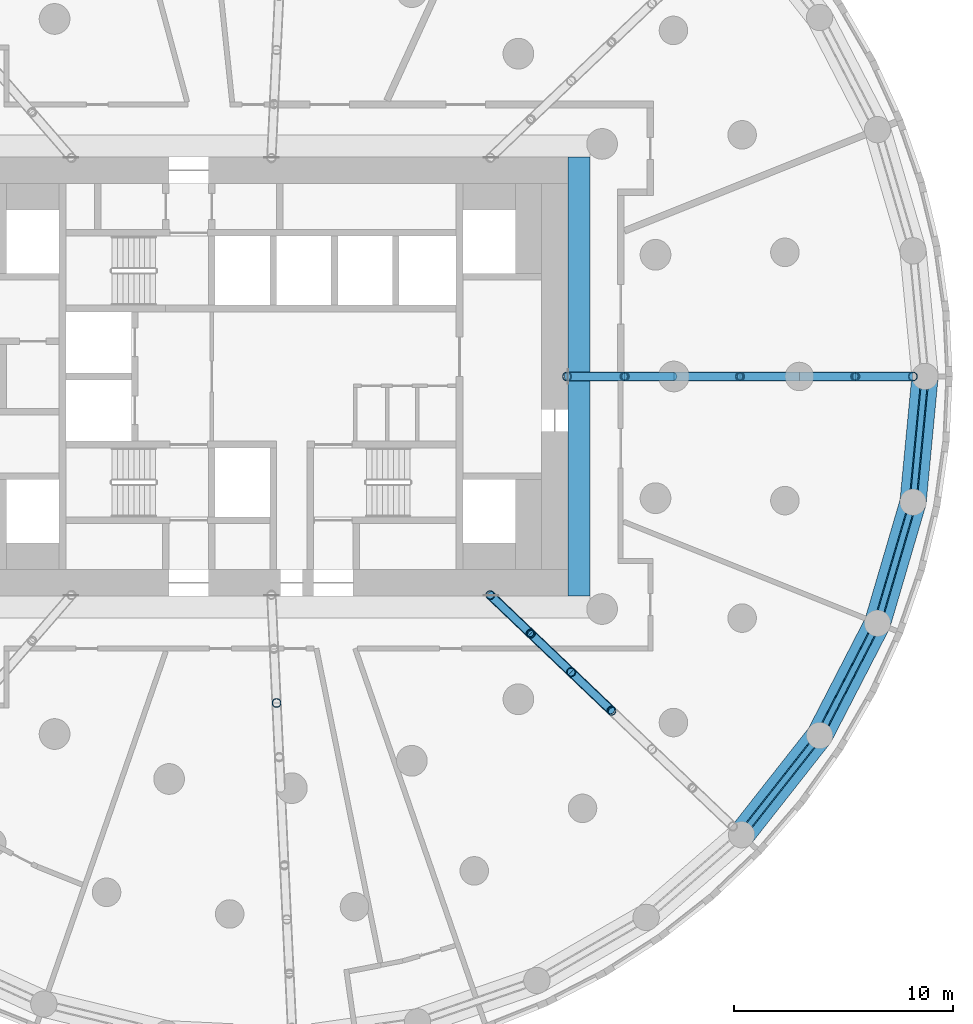
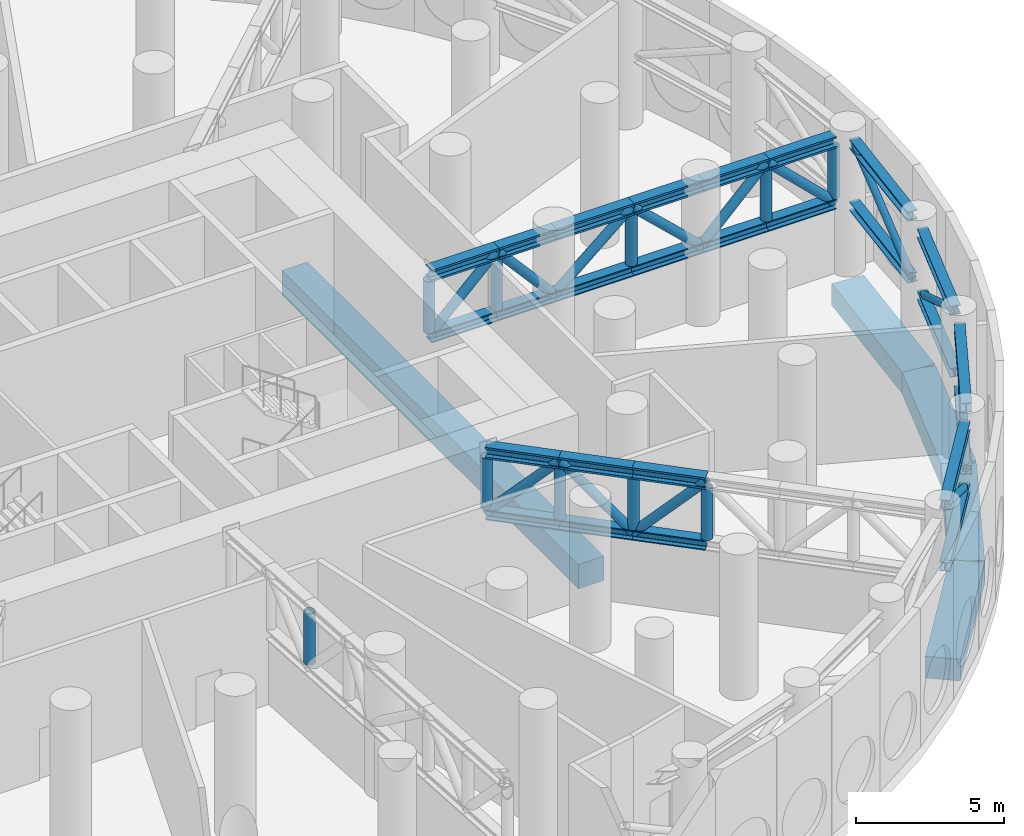
# One storey, part 4 of 17: 49 members, 5 beams.
"""IFC4 building model written with IfcOpenShell, lengths in metres."""

from ifc_helpers import new_model, si_unit, direction, frame, origin, origin_2d, place, context, subcontext, project, spatial, rectangle, hollow_circle, i_section, extrude, material, material_profile, profile_set, type_object, element, save


model = new_model("IFC4")

# Units and contexts
model_context = context("Model", 3, precision=1e-05, world=origin(), true_north=direction((0.0, 1.0)))
body_context = subcontext(model_context, "Body", "Model", "MODEL_VIEW")
ifc_project = project(units=[si_unit("LENGTHUNIT", "METRE"), si_unit("AREAUNIT", "SQUARE_METRE"), si_unit("VOLUMEUNIT", "CUBIC_METRE"), si_unit("PLANEANGLEUNIT", "RADIAN"), si_unit("MASSUNIT", "GRAM", prefix="KILO")], contexts=[model_context])

# Site, building, storey
site_placement = place(None, origin())
site = spatial("IfcSite", under=ifc_project, at=site_placement, CompositionType="ELEMENT")
building_placement = place(site_placement, origin())
building = spatial("IfcBuilding", under=site, at=building_placement, Name="Tracery Tower", CompositionType="ELEMENT")
storey_placement = place(building_placement, frame((0.0, 0.0, 120.0)))
storey = spatial("IfcBuildingStorey", under=building, at=storey_placement, Name="L30 Plant", CompositionType="ELEMENT", Elevation=120.0)

# Members
ifc_material_1 = material(Name="Steel S355", Category="steel")
ifc_material_profile_1 = material_profile(ifc_material_1, i_section(OverallWidth=0.37060546875, OverallDepth=0.362060546875, WebThickness=0.01220703125, FlangeThickness=0.020751953125, FilletRadius=0.01513671875, at=origin_2d()), Name="UKC 356x368x153")
ifc_profile_set_1 = profile_set([ifc_material_profile_1], Name="Steel S355")
member_type_1 = type_object("IfcMemberType", Name="Belt truss bottom chord UKC 356x368x153", PredefinedType="CHORD", material=ifc_profile_set_1)
member_1_placement = place(storey_placement, frame((22.219970703125, -20.498779296875, 2.9033203125), z_axis=(0.618136669927, 0.786070643958, 0.0), x_axis=(-0.786070643958, 0.618136669927, 0.0)))
element("IfcMember", 1, at=member_1_placement, inside=storey, type_object=member_type_1, Name="Belt truss bottom chord 30", PredefinedType="CHORD", context=body_context, shape_type="SweptSolid", body=[
    extrude(i_section(OverallWidth=0.37060546875, OverallDepth=0.362060546875, WebThickness=0.01220703125, FlangeThickness=0.020751953125, FilletRadius=0.01513671875, at=origin_2d()), origin(), (0.0, 0.0, 1.0), 4.75537109375),
])
for number, where, z_axis, x_axis, name in (
    (2, (25.69775390625, -15.92333984375, 2.9033203125), (0.458227033576, 0.888835184779, 0.0), (-0.888835184779, 0.458227033576, 0.0), "Belt truss bottom chord 31"),
    (3, (28.246826171875, -10.772216796875, 2.9033203125), (0.281738268349, 0.959491296546, 0.0), (-0.959491296546, 0.281738268349, 0.0), "Belt truss bottom chord 32"),
):
    element("IfcMember", number, at=place(storey_placement, frame(where, z_axis=z_axis, x_axis=x_axis)), inside=storey, type_object=member_type_1, Name=name, PredefinedType="CHORD", context=body_context, shape_type="SweptSolid", body=[
        extrude(i_section(OverallWidth=0.37060546875, OverallDepth=0.362060546875, WebThickness=0.01220703125, FlangeThickness=0.020751953125, FilletRadius=0.01513671875, at=origin_2d()), origin(), (0.0, 0.0, 1.0), 4.755615234375),
    ])
member_2_placement = place(storey_placement, frame((29.77490234375, -5.231689453125, 2.9033203125), z_axis=(0.09508043765, 0.995469592894, 0.0), x_axis=(-0.995469592894, 0.09508043765, 0.0)))
element("IfcMember", 4, at=member_2_placement, inside=storey, type_object=member_type_1, Name="Belt truss bottom chord 33", PredefinedType="CHORD", context=body_context, shape_type="SweptSolid", body=[
    extrude(i_section(OverallWidth=0.37060546875, OverallDepth=0.362060546875, WebThickness=0.01220703125, FlangeThickness=0.020751953125, FilletRadius=0.01513671875, at=origin_2d()), origin(), (0.0, 0.0, 1.0), 4.75537109375),
])
ifc_material_2 = material(Name="Steel S355", Category="steel")
ifc_material_profile_2 = material_profile(ifc_material_2, hollow_circle(Radius=0.136474609375, WallThickness=0.012451171875, at=origin_2d()), Name="CHS 273x12.5")
ifc_profile_set_2 = profile_set([ifc_material_profile_2], Name="Steel S355")
member_type_2 = type_object("IfcMemberType", Name="Belt truss diagonal CHS 273x12.5", PredefinedType="BRACE", material=ifc_profile_set_2)
member_3_placement = place(storey_placement, frame((22.219970703125, -20.498779296875, 5.462646484375), z_axis=(0.544310911572, 0.692188070355, -0.473921203157), x_axis=(-0.786070643958, 0.618136669927, 0.0)))
element("IfcMember", 5, at=member_3_placement, inside=storey, type_object=member_type_2, Name="Belt truss diagonal 30", PredefinedType="BRACE", context=body_context, shape_type="SweptSolid", body=[
    extrude(hollow_circle(Radius=0.136474609375, WallThickness=0.012451171875, at=origin_2d()), origin(), (0.0, 0.0, 1.0), 5.400390625),
])
for number, where, z_axis, x_axis, name in (
    (6, (25.69775390625, -15.92333984375, 2.9033203125), (0.403506857394, 0.782693001224, 0.473892268212), (-0.888835184779, 0.458227033576, 0.0), "Belt truss diagonal 31"),
    (7, (28.246826171875, -10.772216796875, 5.462646484375), (0.248092866052, 0.844908102498, -0.473898964071), (-0.959491296546, 0.281738268349, 0.0), "Belt truss diagonal 32"),
):
    element("IfcMember", number, at=place(storey_placement, frame(where, z_axis=z_axis, x_axis=x_axis)), inside=storey, type_object=member_type_2, Name=name, PredefinedType="BRACE", context=body_context, shape_type="SweptSolid", body=[
        extrude(hollow_circle(Radius=0.136474609375, WallThickness=0.012451171875, at=origin_2d()), origin(), (0.0, 0.0, 1.0), 5.400634765625),
    ])
member_4_placement = place(storey_placement, frame((29.77490234375, -5.231689453125, 2.9033203125), z_axis=(0.083725059222, 0.876581478567, 0.473914576576), x_axis=(-0.995469592894, 0.09508043765, 0.0)))
element("IfcMember", 8, at=member_4_placement, inside=storey, type_object=member_type_2, Name="Belt truss diagonal 33", PredefinedType="BRACE", context=body_context, shape_type="SweptSolid", body=[
    extrude(hollow_circle(Radius=0.136474609375, WallThickness=0.012451171875, at=origin_2d()), origin(), (0.0, 0.0, 1.0), 5.400390625),
])
ifc_material_3 = material(Name="Steel S355", Category="steel")
ifc_material_profile_3 = material_profile(ifc_material_3, i_section(OverallWidth=0.374755859375, OverallDepth=0.37451171875, WebThickness=0.0166015625, FlangeThickness=0.027099609375, FilletRadius=0.01513671875, at=origin_2d()), Name="UKC 356x368x202")
ifc_profile_set_3 = profile_set([ifc_material_profile_3], Name="Steel S355")
member_type_3 = type_object("IfcMemberType", Name="Belt truss top chord UKC 356x368x202", PredefinedType="CHORD", material=ifc_profile_set_3)
member_5_placement = place(storey_placement, frame((22.219970703125, -20.498779296875, 5.462646484375), z_axis=(0.618136669927, 0.786070643958, 0.0), x_axis=(-0.786070643958, 0.618136669927, 0.0)))
element("IfcMember", 9, at=member_5_placement, inside=storey, type_object=member_type_3, Name="Belt truss top chord 30", PredefinedType="CHORD", context=body_context, shape_type="SweptSolid", body=[
    extrude(i_section(OverallWidth=0.374755859375, OverallDepth=0.37451171875, WebThickness=0.0166015625, FlangeThickness=0.027099609375, FilletRadius=0.01513671875, at=origin_2d()), origin(), (0.0, 0.0, 1.0), 4.75537109375),
])
for number, where, z_axis, x_axis, name in (
    (10, (25.69775390625, -15.92333984375, 5.462646484375), (0.458227033576, 0.888835184779, 0.0), (-0.888835184779, 0.458227033576, 0.0), "Belt truss top chord 31"),
    (11, (28.246826171875, -10.772216796875, 5.462646484375), (0.281738268349, 0.959491296546, 0.0), (-0.959491296546, 0.281738268349, 0.0), "Belt truss top chord 32"),
):
    element("IfcMember", number, at=place(storey_placement, frame(where, z_axis=z_axis, x_axis=x_axis)), inside=storey, type_object=member_type_3, Name=name, PredefinedType="CHORD", context=body_context, shape_type="SweptSolid", body=[
        extrude(i_section(OverallWidth=0.374755859375, OverallDepth=0.37451171875, WebThickness=0.0166015625, FlangeThickness=0.027099609375, FilletRadius=0.01513671875, at=origin_2d()), origin(), (0.0, 0.0, 1.0), 4.755615234375),
    ])
member_6_placement = place(storey_placement, frame((29.77490234375, -5.231689453125, 5.462646484375), z_axis=(0.09508043765, 0.995469592894, 0.0), x_axis=(-0.995469592894, 0.09508043765, 0.0)))
element("IfcMember", 12, at=member_6_placement, inside=storey, type_object=member_type_3, Name="Belt truss top chord 33", PredefinedType="CHORD", context=body_context, shape_type="SweptSolid", body=[
    extrude(i_section(OverallWidth=0.374755859375, OverallDepth=0.37451171875, WebThickness=0.0166015625, FlangeThickness=0.027099609375, FilletRadius=0.01513671875, at=origin_2d()), origin(), (0.0, 0.0, 1.0), 4.75537109375),
])

# Beam
ifc_material_4 = material(Name="Concrete C60/75", Category="concrete")
ifc_material_profile_4 = material_profile(ifc_material_4, rectangle(XDim=1.0, YDim=1.0, at=origin_2d()), Name="RC 1000x1000")
ifc_profile_set_4 = profile_set([ifc_material_profile_4], Name="Concrete C60/75")
beam_type_1 = type_object("IfcBeamType", Name="Core slab edge beam 1000x1000", PredefinedType="BEAM", material=ifc_profile_set_4)
beam_1_placement = place(storey_placement, frame((14.5, -10.0, -1.0), z_axis=(0.0, 1.0, 0.0), x_axis=(-1.0, 0.0, 0.0)))
element("IfcBeam", 13, at=beam_1_placement, inside=storey, type_object=beam_type_1, Name="Core hole edge beam E at L30 Plant", PredefinedType="BEAM", context=body_context, shape_type="SweptSolid", body=[
    extrude(rectangle(XDim=1.0, YDim=1.0, at=origin_2d()), origin(), (0.0, 0.0, 1.0), 20.0),
])

# Members
ifc_material_5 = material(Name="Steel S355", Category="steel")
ifc_material_profile_5 = material_profile(ifc_material_5, i_section(OverallWidth=0.403076171875, OverallDepth=0.406494140625, WebThickness=0.026611328125, FlangeThickness=0.04296875, FilletRadius=0.01513671875, at=origin_2d()), Name="UKC 356x406x340")
ifc_profile_set_5 = profile_set([ifc_material_profile_5], Name="Steel S355")
member_type_4 = type_object("IfcMemberType", Name="Outrigger bottom chord UKC 356x406x340", PredefinedType="CHORD", material=ifc_profile_set_5)
member_7_placement = place(storey_placement, frame((13.949951171875, 0.0, 2.9033203125), z_axis=(1.0, 0.0, 0.0), x_axis=(0.0, 1.0, 0.0)))
element("IfcMember", 14, at=member_7_placement, inside=storey, type_object=member_type_4, Name="Outrigger 1 bottom chord 1", PredefinedType="CHORD", context=body_context, shape_type="SweptSolid", body=[
    extrude(i_section(OverallWidth=0.403076171875, OverallDepth=0.406494140625, WebThickness=0.026611328125, FlangeThickness=0.04296875, FilletRadius=0.01513671875, at=origin_2d()), origin(), (0.0, 0.0, 1.0), 2.629150390625),
])
member_8_placement = place(storey_placement, frame((16.5791015625, 0.0, 2.9033203125), z_axis=(1.0, 0.0, 0.0), x_axis=(0.0, 1.0, 0.0)))
element("IfcMember", 15, at=member_8_placement, inside=storey, type_object=member_type_4, Name="Outrigger 1 bottom chord 2", PredefinedType="CHORD", context=body_context, shape_type="SweptSolid", body=[
    extrude(i_section(OverallWidth=0.403076171875, OverallDepth=0.406494140625, WebThickness=0.026611328125, FlangeThickness=0.04296875, FilletRadius=0.01513671875, at=origin_2d()), origin(), (0.0, 0.0, 1.0), 2.2431640625),
])
member_9_placement = place(storey_placement, frame((18.822265625, 0.0, 2.9033203125), z_axis=(1.0, 0.0, 0.0), x_axis=(0.0, 1.0, 0.0)))
element("IfcMember", 16, at=member_9_placement, inside=storey, type_object=member_type_4, Name="Outrigger 1 bottom chord 3", PredefinedType="CHORD", context=body_context, shape_type="SweptSolid", body=[
    extrude(i_section(OverallWidth=0.403076171875, OverallDepth=0.406494140625, WebThickness=0.026611328125, FlangeThickness=0.04296875, FilletRadius=0.01513671875, at=origin_2d()), origin(), (0.0, 0.0, 1.0), 3.01513671875),
])
member_10_placement = place(storey_placement, frame((21.83740234375, 0.0, 2.9033203125), z_axis=(1.0, 0.0, 0.0), x_axis=(0.0, 1.0, 0.0)))
element("IfcMember", 17, at=member_10_placement, inside=storey, type_object=member_type_4, Name="Outrigger 1 bottom chord 4", PredefinedType="CHORD", context=body_context, shape_type="SweptSolid", body=[
    extrude(i_section(OverallWidth=0.403076171875, OverallDepth=0.406494140625, WebThickness=0.026611328125, FlangeThickness=0.04296875, FilletRadius=0.01513671875, at=origin_2d()), origin(), (0.0, 0.0, 1.0), 2.710205078125),
])
member_11_placement = place(storey_placement, frame((24.547607421875, 0.0, 2.9033203125), z_axis=(1.0, 0.0, 0.0), x_axis=(0.0, 1.0, 0.0)))
element("IfcMember", 18, at=member_11_placement, inside=storey, type_object=member_type_4, Name="Outrigger 1 bottom chord 5", PredefinedType="CHORD", context=body_context, shape_type="SweptSolid", body=[
    extrude(i_section(OverallWidth=0.403076171875, OverallDepth=0.406494140625, WebThickness=0.026611328125, FlangeThickness=0.04296875, FilletRadius=0.01513671875, at=origin_2d()), origin(), (0.0, 0.0, 1.0), 2.5478515625),
])
member_12_placement = place(storey_placement, frame((27.095458984375, 0.0, 2.9033203125), z_axis=(1.0, 0.0, 0.0), x_axis=(0.0, 1.0, 0.0)))
element("IfcMember", 19, at=member_12_placement, inside=storey, type_object=member_type_4, Name="Outrigger 1 bottom chord 6", PredefinedType="CHORD", context=body_context, shape_type="SweptSolid", body=[
    extrude(i_section(OverallWidth=0.403076171875, OverallDepth=0.406494140625, WebThickness=0.026611328125, FlangeThickness=0.04296875, FilletRadius=0.01513671875, at=origin_2d()), origin(), (0.0, 0.0, 1.0), 2.629150390625),
])
member_13_placement = place(storey_placement, frame((10.451416015625, -9.965576171875, 2.9033203125), z_axis=(0.723773164471, -0.690037974601, 0.0), x_axis=(0.690037974601, 0.723773164471, 0.0)))
element("IfcMember", 20, at=member_13_placement, inside=storey, type_object=member_type_4, Name="Outrigger 8 bottom chord 1", PredefinedType="CHORD", context=body_context, shape_type="SweptSolid", body=[
    extrude(i_section(OverallWidth=0.403076171875, OverallDepth=0.406494140625, WebThickness=0.026611328125, FlangeThickness=0.04296875, FilletRadius=0.01513671875, at=origin_2d()), origin(), (0.0, 0.0, 1.0), 2.54736328125),
])
for number, where, z_axis, x_axis, name in (
    (21, (12.295166015625, -11.723388671875, 2.9033203125), (0.723727525939, -0.690085841181, 0.0), (0.690085841181, 0.723727525939, 0.0), "Outrigger 8 bottom chord 2"),
    (22, (14.138671875, -13.481201171875, 2.9033203125), (0.723727525939, -0.690085841181, 0.0), (0.690085841181, 0.723727525939, 0.0), "Outrigger 8 bottom chord 3"),
):
    element("IfcMember", number, at=place(storey_placement, frame(where, z_axis=z_axis, x_axis=x_axis)), inside=storey, type_object=member_type_4, Name=name, PredefinedType="CHORD", context=body_context, shape_type="SweptSolid", body=[
        extrude(i_section(OverallWidth=0.403076171875, OverallDepth=0.406494140625, WebThickness=0.026611328125, FlangeThickness=0.04296875, FilletRadius=0.01513671875, at=origin_2d()), origin(), (0.0, 0.0, 1.0), 2.547119140625),
    ])
ifc_material_6 = material(Name="Steel S355", Category="steel")
ifc_material_profile_6 = material_profile(ifc_material_6, hollow_circle(Radius=0.177734375, WallThickness=0.01611328125, at=origin_2d()), Name="CHS 355.6x16")
ifc_profile_set_6 = profile_set([ifc_material_profile_6], Name="Steel S355")
member_type_5 = type_object("IfcMemberType", Name="Outrigger diagonal CHS 355.6x16", PredefinedType="BRACE", material=ifc_profile_set_6)
member_14_placement = place(storey_placement, frame((13.949951171875, 0.0, 2.9033203125), z_axis=(0.716557827488, 0.0, 0.69752769111), x_axis=(0.0, 1.0, 0.0)))
element("IfcMember", 23, at=member_14_placement, inside=storey, type_object=member_type_5, Name="Outrigger 1 diagonal 1", PredefinedType="BRACE", context=body_context, shape_type="SweptSolid", body=[
    extrude(hollow_circle(Radius=0.177734375, WallThickness=0.01611328125, at=origin_2d()), origin(), (0.0, 0.0, 1.0), 3.669189453125),
])
member_15_placement = place(storey_placement, frame((16.5791015625, 0.0, 5.462646484375), z_axis=(0.659129073284, 0.0, -0.752029829695), x_axis=(0.0, 1.0, 0.0)))
element("IfcMember", 24, at=member_15_placement, inside=storey, type_object=member_type_5, Name="Outrigger 1 diagonal 2", PredefinedType="BRACE", context=body_context, shape_type="SweptSolid", body=[
    extrude(hollow_circle(Radius=0.177734375, WallThickness=0.01611328125, at=origin_2d()), origin(), (0.0, 0.0, 1.0), 3.4033203125),
])
member_16_placement = place(storey_placement, frame((18.822265625, 0.0, 2.9033203125), z_axis=(0.762380845962, 0.0, 0.64712861605), x_axis=(0.0, 1.0, 0.0)))
element("IfcMember", 25, at=member_16_placement, inside=storey, type_object=member_type_5, Name="Outrigger 1 diagonal 3", PredefinedType="BRACE", context=body_context, shape_type="SweptSolid", body=[
    extrude(hollow_circle(Radius=0.177734375, WallThickness=0.01611328125, at=origin_2d()), origin(), (0.0, 0.0, 1.0), 3.954833984375),
])
member_17_placement = place(storey_placement, frame((21.83740234375, 0.0, 5.462646484375), z_axis=(0.72705492668, 0.0, -0.686579298836), x_axis=(0.0, 1.0, 0.0)))
element("IfcMember", 26, at=member_17_placement, inside=storey, type_object=member_type_5, Name="Outrigger 1 diagonal 4", PredefinedType="BRACE", context=body_context, shape_type="SweptSolid", body=[
    extrude(hollow_circle(Radius=0.177734375, WallThickness=0.01611328125, at=origin_2d()), origin(), (0.0, 0.0, 1.0), 3.7275390625),
])
member_18_placement = place(storey_placement, frame((24.547607421875, 0.0, 2.9033203125), z_axis=(0.705516300325, 0.0, 0.708693692632), x_axis=(0.0, 1.0, 0.0)))
element("IfcMember", 27, at=member_18_placement, inside=storey, type_object=member_type_5, Name="Outrigger 1 diagonal 5", PredefinedType="BRACE", context=body_context, shape_type="SweptSolid", body=[
    extrude(hollow_circle(Radius=0.177734375, WallThickness=0.01611328125, at=origin_2d()), origin(), (0.0, 0.0, 1.0), 3.611328125),
])
member_19_placement = place(storey_placement, frame((27.095458984375, 0.0, 5.462646484375), z_axis=(0.716557827488, 0.0, -0.69752769111), x_axis=(0.0, 1.0, 0.0)))
element("IfcMember", 28, at=member_19_placement, inside=storey, type_object=member_type_5, Name="Outrigger 1 diagonal 6", PredefinedType="BRACE", context=body_context, shape_type="SweptSolid", body=[
    extrude(hollow_circle(Radius=0.177734375, WallThickness=0.01611328125, at=origin_2d()), origin(), (0.0, 0.0, 1.0), 3.669189453125),
])
member_20_placement = place(storey_placement, frame((10.451416015625, -9.965576171875, 2.9033203125), z_axis=(0.510589730052, -0.486791056193, 0.708754255843), x_axis=(0.690037974601, 0.723773164471, 0.0)))
element("IfcMember", 29, at=member_20_placement, inside=storey, type_object=member_type_5, Name="Outrigger 8 diagonal 1", PredefinedType="BRACE", context=body_context, shape_type="SweptSolid", body=[
    extrude(hollow_circle(Radius=0.177734375, WallThickness=0.01611328125, at=origin_2d()), origin(), (0.0, 0.0, 1.0), 3.611083984375),
])
for number, where, z_axis, x_axis, name in (
    (30, (12.295166015625, -11.723388671875, 5.462646484375), (0.510539743614, -0.486807860418, -0.708778722329), (0.690085841181, 0.723727525939, 0.0), "Outrigger 8 diagonal 2"),
    (31, (14.138671875, -13.481201171875, 2.9033203125), (0.510539743614, -0.486807860418, 0.708778722329), (0.690085841181, 0.723727525939, 0.0), "Outrigger 8 diagonal 3"),
):
    element("IfcMember", number, at=place(storey_placement, frame(where, z_axis=z_axis, x_axis=x_axis)), inside=storey, type_object=member_type_5, Name=name, PredefinedType="BRACE", context=body_context, shape_type="SweptSolid", body=[
        extrude(hollow_circle(Radius=0.177734375, WallThickness=0.01611328125, at=origin_2d()), origin(), (0.0, 0.0, 1.0), 3.61083984375),
    ])
ifc_material_7 = material(Name="Steel S355", Category="steel")
ifc_material_profile_7 = material_profile(ifc_material_7, hollow_circle(Radius=0.203125, WallThickness=0.02001953125, at=origin_2d()), Name="CHS 406.4x20")
ifc_profile_set_7 = profile_set([ifc_material_profile_7], Name="Steel S355")
member_type_6 = type_object("IfcMemberType", Name="Outrigger post CHS 406.4x20", PredefinedType="POST", material=ifc_profile_set_7)
for number, where, z_axis, x_axis, name in (
    (32, (13.949951171875, 0.0, 3.1064453125), (0.0, 0.0, 1.0), (1.0, 0.0, 0.0), "Outrigger 1 post 1"),
    (33, (16.5791015625, 0.0, 3.1064453125), (0.0, 0.0, 1.0), (1.0, 0.0, 0.0), "Outrigger 1 post 2"),
    (34, (21.83740234375, 0.0, 3.1064453125), (0.0, 0.0, 1.0), (1.0, 0.0, 0.0), "Outrigger 1 post 4"),
    (35, (27.095458984375, 0.0, 3.1064453125), (0.0, 0.0, 1.0), (1.0, 0.0, 0.0), "Outrigger 1 post 6"),
    (36, (29.724609375, 0.0, 3.1064453125), (0.0, 0.0, 1.0), (1.0, 0.0, 0.0), "Outrigger 1 post 7"),
    (37, (0.708984375, -14.88525390625, 3.1064453125), (0.0, 0.0, 1.0), (1.0, 0.0, 0.0), "Outrigger 7 post 3"),
    (38, (10.451416015625, -9.965576171875, 3.1064453125), (0.0, 0.0, 1.0), (1.0, 0.0, 0.0), "Outrigger 8 post 1"),
    (39, (12.295166015625, -11.723388671875, 3.1064453125), (0.0, 0.0, 1.0), (1.0, 0.0, 0.0), "Outrigger 8 post 2"),
    (40, (14.138671875, -13.481201171875, 3.1064453125), (0.0, 0.0, 1.0), (1.0, 0.0, 0.0), "Outrigger 8 post 3"),
    (41, (15.982177734375, -15.239013671875, 3.1064453125), (0.0, 0.0, 1.0), (1.0, 0.0, 0.0), "Outrigger 8 post 4"),
):
    element("IfcMember", number, at=place(storey_placement, frame(where, z_axis=z_axis, x_axis=x_axis)), inside=storey, type_object=member_type_6, Name=name, PredefinedType="POST", context=body_context, shape_type="SweptSolid", body=[
        extrude(hollow_circle(Radius=0.203125, WallThickness=0.02001953125, at=origin_2d()), origin(), (0.0, 0.0, 1.0), 2.118896484375),
    ])
ifc_material_8 = material(Name="Steel S355", Category="steel")
ifc_material_profile_8 = material_profile(ifc_material_8, i_section(OverallWidth=0.424072265625, OverallDepth=0.474609375, WebThickness=0.047607421875, FlangeThickness=0.076904296875, FilletRadius=0.01513671875, at=origin_2d()), Name="UKC 356x406x634")
ifc_profile_set_8 = profile_set([ifc_material_profile_8], Name="Steel S355")
member_type_7 = type_object("IfcMemberType", Name="Outrigger top chord UKC 356x406x634", PredefinedType="CHORD", material=ifc_profile_set_8)
member_21_placement = place(storey_placement, frame((13.949951171875, 0.0, 5.462646484375), z_axis=(1.0, 0.0, 0.0), x_axis=(0.0, 1.0, 0.0)))
element("IfcMember", 42, at=member_21_placement, inside=storey, type_object=member_type_7, Name="Outrigger 1 top chord 1", PredefinedType="CHORD", context=body_context, shape_type="SweptSolid", body=[
    extrude(i_section(OverallWidth=0.424072265625, OverallDepth=0.474609375, WebThickness=0.047607421875, FlangeThickness=0.076904296875, FilletRadius=0.01513671875, at=origin_2d()), origin(), (0.0, 0.0, 1.0), 2.629150390625),
])
member_22_placement = place(storey_placement, frame((16.5791015625, 0.0, 5.462646484375), z_axis=(1.0, 0.0, 0.0), x_axis=(0.0, 1.0, 0.0)))
element("IfcMember", 43, at=member_22_placement, inside=storey, type_object=member_type_7, Name="Outrigger 1 top chord 2", PredefinedType="CHORD", context=body_context, shape_type="SweptSolid", body=[
    extrude(i_section(OverallWidth=0.424072265625, OverallDepth=0.474609375, WebThickness=0.047607421875, FlangeThickness=0.076904296875, FilletRadius=0.01513671875, at=origin_2d()), origin(), (0.0, 0.0, 1.0), 2.2431640625),
])
member_23_placement = place(storey_placement, frame((18.822265625, 0.0, 5.462646484375), z_axis=(1.0, 0.0, 0.0), x_axis=(0.0, 1.0, 0.0)))
element("IfcMember", 44, at=member_23_placement, inside=storey, type_object=member_type_7, Name="Outrigger 1 top chord 3", PredefinedType="CHORD", context=body_context, shape_type="SweptSolid", body=[
    extrude(i_section(OverallWidth=0.424072265625, OverallDepth=0.474609375, WebThickness=0.047607421875, FlangeThickness=0.076904296875, FilletRadius=0.01513671875, at=origin_2d()), origin(), (0.0, 0.0, 1.0), 3.01513671875),
])
member_24_placement = place(storey_placement, frame((21.83740234375, 0.0, 5.462646484375), z_axis=(1.0, 0.0, 0.0), x_axis=(0.0, 1.0, 0.0)))
element("IfcMember", 45, at=member_24_placement, inside=storey, type_object=member_type_7, Name="Outrigger 1 top chord 4", PredefinedType="CHORD", context=body_context, shape_type="SweptSolid", body=[
    extrude(i_section(OverallWidth=0.424072265625, OverallDepth=0.474609375, WebThickness=0.047607421875, FlangeThickness=0.076904296875, FilletRadius=0.01513671875, at=origin_2d()), origin(), (0.0, 0.0, 1.0), 2.710205078125),
])
member_25_placement = place(storey_placement, frame((24.547607421875, 0.0, 5.462646484375), z_axis=(1.0, 0.0, 0.0), x_axis=(0.0, 1.0, 0.0)))
element("IfcMember", 46, at=member_25_placement, inside=storey, type_object=member_type_7, Name="Outrigger 1 top chord 5", PredefinedType="CHORD", context=body_context, shape_type="SweptSolid", body=[
    extrude(i_section(OverallWidth=0.424072265625, OverallDepth=0.474609375, WebThickness=0.047607421875, FlangeThickness=0.076904296875, FilletRadius=0.01513671875, at=origin_2d()), origin(), (0.0, 0.0, 1.0), 2.5478515625),
])
member_26_placement = place(storey_placement, frame((27.095458984375, 0.0, 5.462646484375), z_axis=(1.0, 0.0, 0.0), x_axis=(0.0, 1.0, 0.0)))
element("IfcMember", 47, at=member_26_placement, inside=storey, type_object=member_type_7, Name="Outrigger 1 top chord 6", PredefinedType="CHORD", context=body_context, shape_type="SweptSolid", body=[
    extrude(i_section(OverallWidth=0.424072265625, OverallDepth=0.474609375, WebThickness=0.047607421875, FlangeThickness=0.076904296875, FilletRadius=0.01513671875, at=origin_2d()), origin(), (0.0, 0.0, 1.0), 2.629150390625),
])
member_27_placement = place(storey_placement, frame((10.451416015625, -9.965576171875, 5.462646484375), z_axis=(0.723773164471, -0.690037974601, 0.0), x_axis=(0.690037974601, 0.723773164471, 0.0)))
element("IfcMember", 48, at=member_27_placement, inside=storey, type_object=member_type_7, Name="Outrigger 8 top chord 1", PredefinedType="CHORD", context=body_context, shape_type="SweptSolid", body=[
    extrude(i_section(OverallWidth=0.424072265625, OverallDepth=0.474609375, WebThickness=0.047607421875, FlangeThickness=0.076904296875, FilletRadius=0.01513671875, at=origin_2d()), origin(), (0.0, 0.0, 1.0), 2.54736328125),
])
for number, where, z_axis, x_axis, name in (
    (49, (12.295166015625, -11.723388671875, 5.462646484375), (0.723727525939, -0.690085841181, 0.0), (0.690085841181, 0.723727525939, 0.0), "Outrigger 8 top chord 2"),
    (50, (14.138671875, -13.481201171875, 5.462646484375), (0.723727525939, -0.690085841181, 0.0), (0.690085841181, 0.723727525939, 0.0), "Outrigger 8 top chord 3"),
):
    element("IfcMember", number, at=place(storey_placement, frame(where, z_axis=z_axis, x_axis=x_axis)), inside=storey, type_object=member_type_7, Name=name, PredefinedType="CHORD", context=body_context, shape_type="SweptSolid", body=[
        extrude(i_section(OverallWidth=0.424072265625, OverallDepth=0.474609375, WebThickness=0.047607421875, FlangeThickness=0.076904296875, FilletRadius=0.01513671875, at=origin_2d()), origin(), (0.0, 0.0, 1.0), 2.547119140625),
    ])

# Beams
ifc_material_9 = material(Name="Concrete C60/75", Category="concrete")
ifc_material_profile_9 = material_profile(ifc_material_9, rectangle(XDim=1.199951171875, YDim=0.89990234375, at=origin_2d()), Name="RC 1200x900")
ifc_profile_set_9 = profile_set([ifc_material_profile_9], Name="Concrete C60/75")
beam_type_2 = type_object("IfcBeamType", Name="Plant level band beam 1200x900", PredefinedType="BEAM", material=ifc_profile_set_9)
beam_2_placement = place(storey_placement, frame((21.910888671875, -20.891845703125, -0.949951171875), z_axis=(0.618134362257, 0.786072458618, 0.0), x_axis=(-0.786072458618, 0.618134362257, 0.0)))
element("IfcBeam", 51, at=beam_2_placement, inside=storey, type_object=beam_type_2, Name="Perimeter beam 0.29 under L30 Plant", PredefinedType="BEAM", context=body_context, shape_type="SweptSolid", body=[
    extrude(rectangle(XDim=1.199951171875, YDim=0.89990234375, at=origin_2d()), origin(), (0.0, 0.0, 1.0), 5.75537109375),
])
for number, where, z_axis, x_axis, name in (
    (52, (25.468505859375, -16.36767578125, -0.949951171875), (0.458242010493, 0.88882746347, 0.0), (-0.88882746347, 0.458242010493, 0.0), "Perimeter beam 0.30 under L30 Plant"),
    (53, (28.10595703125, -11.251953125, -0.949951171875), (0.281739145896, 0.959491038869, 0.0), (-0.959491038869, 0.281739145896, 0.0), "Perimeter beam 0.31 under L30 Plant"),
    (54, (29.7275390625, -5.7294921875, -0.949951171875), (0.095059309677, 0.995471610667, 0.0), (-0.995471610667, 0.095059309677, 0.0), "Perimeter beam 0.32 under L30 Plant"),
):
    element("IfcBeam", number, at=place(storey_placement, frame(where, z_axis=z_axis, x_axis=x_axis)), inside=storey, type_object=beam_type_2, Name=name, PredefinedType="BEAM", context=body_context, shape_type="SweptSolid", body=[
        extrude(rectangle(XDim=1.199951171875, YDim=0.89990234375, at=origin_2d()), origin(), (0.0, 0.0, 1.0), 5.755615234375),
    ])

save(model, "model.ifc")
